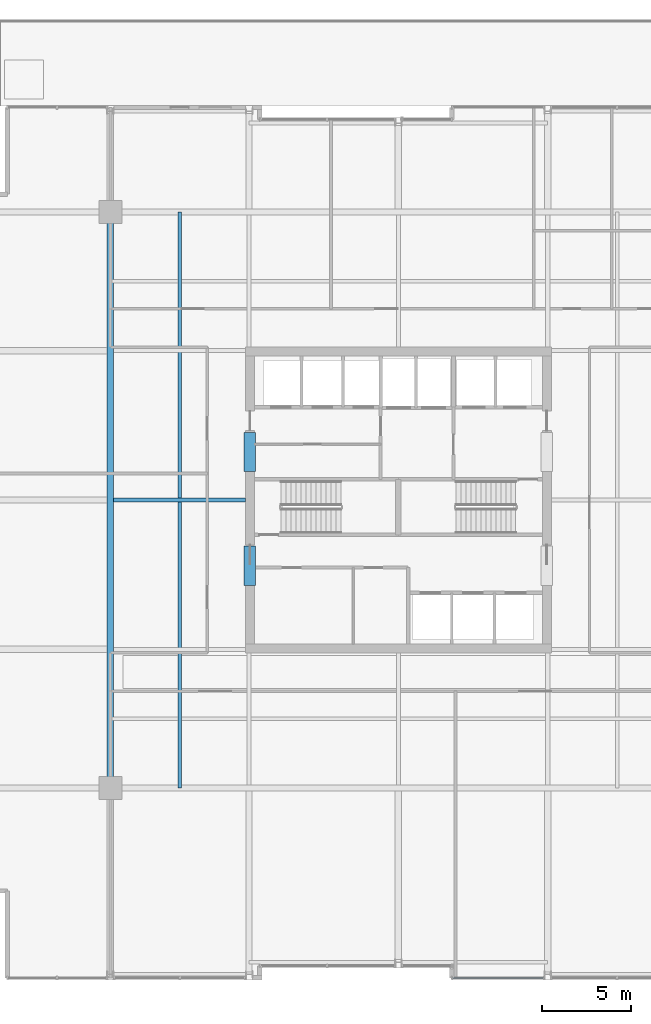
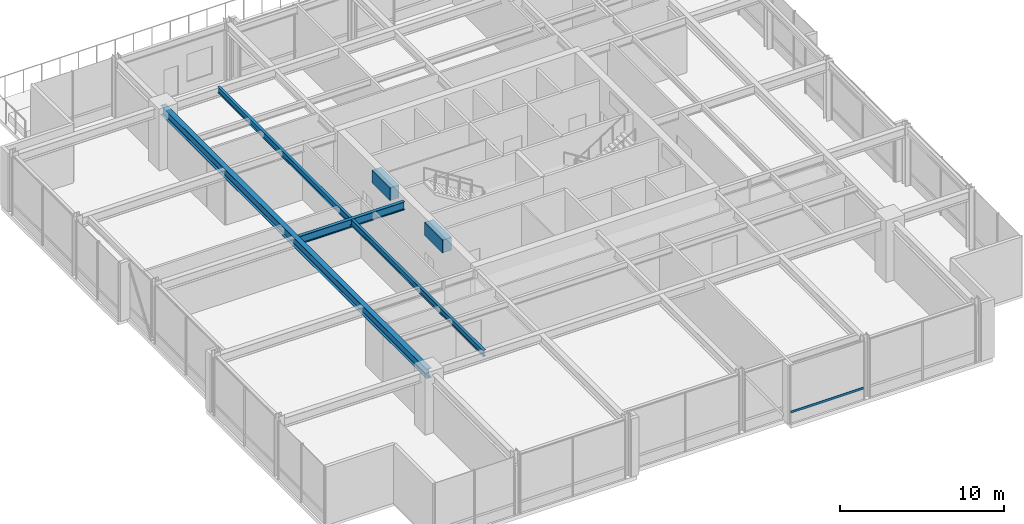
# One storey, part 10 of 32: 5 beams, 1 member, 1 element without a shape of its own.
"""IFC4 building model written with IfcOpenShell, lengths in metres."""

from ifc_helpers import new_model, si_unit, direction, frame, origin, origin_2d, place, context, subcontext, project, spatial, rectangle, hollow_rectangle, i_section, extrude, material, layer, layer_set, material_profile, profile_set, type_object, element, aggregate, save


model = new_model("IFC4")

# Units and contexts
model_context = context("Model", 3, precision=1e-05, world=origin(), true_north=direction((0.0, 1.0)))
body_context = subcontext(model_context, "Body", "Model", "MODEL_VIEW")
ifc_project = project(units=[si_unit("LENGTHUNIT", "METRE"), si_unit("AREAUNIT", "SQUARE_METRE"), si_unit("VOLUMEUNIT", "CUBIC_METRE"), si_unit("PLANEANGLEUNIT", "RADIAN"), si_unit("MASSUNIT", "GRAM", prefix="KILO")], contexts=[model_context])

# Site, building, storey
site_placement = place(None, origin())
site = spatial("IfcSite", under=ifc_project, at=site_placement, CompositionType="ELEMENT")
building_placement = place(site_placement, origin())
building = spatial("IfcBuilding", under=site, at=building_placement, Name="Drelvath Grand Hotel", CompositionType="ELEMENT")
storey_placement = place(building_placement, frame((0.0, 0.0, 145.800048828125)))
storey = spatial("IfcBuildingStorey", under=building, at=storey_placement, Name="L37", CompositionType="ELEMENT", Elevation=145.800048828125)

# Beams
ifc_material_1 = material(Name="Steel ASTM A992 Gr 50", Category="steel")
ifc_material_profile_1 = material_profile(ifc_material_1, i_section(OverallWidth=0.19140625, OverallDepth=0.4599609375, WebThickness=0.010009765625, FlangeThickness=0.01611328125, FilletRadius=0.01611328125, at=origin_2d()), Name="W18X55")
ifc_profile_set_1 = profile_set([ifc_material_profile_1], Name="Steel ASTM A992 Gr 50")
beam_type_1 = type_object("IfcBeamType", Name="Composite Floor Joist W18X55", PredefinedType="JOIST", material=ifc_profile_set_1)
beam_1_placement = place(storey_placement, frame((-12.300048828125, 10.800048828125, 4.10986328125), z_axis=(0.0, 1.0, 0.0), x_axis=(-1.0, 0.0, 0.0)))
element("IfcBeam", 1, at=beam_1_placement, inside=storey, type_object=beam_type_1, Name="L37 Wing Floor Joist J3", PredefinedType="JOIST", context=body_context, shape_type="SweptSolid", body=[
    extrude(i_section(OverallWidth=0.19140625, OverallDepth=0.4599609375, WebThickness=0.010009765625, FlangeThickness=0.01611328125, FilletRadius=0.01611328125, at=origin_2d()), origin(), (0.0, 0.0, 1.0), 32.39990234375),
])
ifc_material_2 = material(Name="Concrete f'c 55 MPa", Category="concrete")
ifc_material_profile_2 = material_profile(ifc_material_2, rectangle(XDim=0.64990234375, YDim=0.949951171875, at=origin_2d()), Name="CB650X950")
ifc_profile_set_2 = profile_set([ifc_material_profile_2], Name="Concrete f'c 55 MPa")
beam_type_2 = type_object("IfcBeamType", Name="Core Coupling Lintel CB650X950", PredefinedType="LINTEL", material=ifc_profile_set_2)
for number, where, z_axis, x_axis, name in (
    (2, (-8.35009765625, 22.199951171875, 3.864990234375), (0.0, 1.0, 0.0), (-1.0, 0.0, 0.0), "L37 Core Coupling Lintel WS"),
    (3, (-8.35009765625, 28.60009765625, 3.864990234375), (0.0, 1.0, 0.0), (-1.0, 0.0, 0.0), "L37 Core Coupling Lintel WN"),
):
    element("IfcBeam", number, at=place(storey_placement, frame(where, z_axis=z_axis, x_axis=x_axis)), inside=storey, type_object=beam_type_2, Name=name, PredefinedType="LINTEL", context=body_context, shape_type="SweptSolid", body=[
        extrude(rectangle(XDim=0.64990234375, YDim=0.949951171875, at=origin_2d()), origin(), (0.0, 0.0, 1.0), 2.199951171875),
    ])

# Curtain wall, member
ifc_material_3 = material(Name="Brushed Pale-Silver Anodised Aluminium Frame", Category="aluminium")
ifc_layer = layer(ifc_material_3, 0.199951171875)
ifc_layer_set = layer_set([ifc_layer], Name="Brushed Pale-Silver Anodised Aluminium Frame")
curtain_wall_type = type_object("IfcCurtainWallType", Name="Stick Curtain Wall CW-04 Brushed Silver Upper-Mid", PredefinedType="NOTDEFINED", material=ifc_layer_set)
curtain_wall_placement = place(storey_placement, origin())
curtain_wall = element("IfcCurtainWall", 4, at=curtain_wall_placement, inside=storey, type_object=curtain_wall_type, Name="L37 CW-04 Curtain Wall CW04-L37-SE1", PredefinedType="NOTDEFINED")
ifc_material_profile_3 = material_profile(ifc_material_3, hollow_rectangle(XDim=0.06494140625, YDim=0.159912109375, WallThickness=0.00390625, at=origin_2d()), Name="HSS160X65X4")
ifc_profile_set_3 = profile_set([ifc_material_profile_3], Name="Brushed Pale-Silver Anodised Aluminium Frame")
member_type = type_object("IfcMemberType", Name="Curtain Wall Horizontal Transom CW-04 HSS160X65X4", PredefinedType="USERDEFINED", material=ifc_profile_set_3)
member_placement = place(storey_placement, frame((8.159912109375, 0.1201171875, 0.849853515625), z_axis=(-1.0, 0.0, 0.0), x_axis=(0.0, -1.0, 0.0)))
member = element("IfcMember", 5, at=member_placement, type_object=member_type, Name="CW04-L37-SE1 Sill Transom", ObjectType="TRANSOM", PredefinedType="USERDEFINED", context=body_context, shape_type="SweptSolid", body=[
    extrude(hollow_rectangle(XDim=0.06494140625, YDim=0.159912109375, WallThickness=0.00390625, at=origin_2d()), origin(), (0.0, 0.0, 1.0), 5.119873046875),
])
aggregate(curtain_wall, [member])

# Beams
ifc_material_profile_4 = material_profile(ifc_material_1, i_section(OverallWidth=0.228271484375, OverallDepth=0.607666015625, WebThickness=0.01123046875, FlangeThickness=0.017333984375, FilletRadius=0.02001953125, at=origin_2d()), Name="W24X76")
ifc_profile_set_4 = profile_set([ifc_material_profile_4], Name="Steel ASTM A992 Gr 50")
beam_type_3 = type_object("IfcBeamType", Name="Primary Floor Girder W24X76", PredefinedType="BEAM", material=ifc_profile_set_4)
beam_2_placement = place(storey_placement, frame((-16.022705078125, 27.0, 4.0361328125), z_axis=(1.0, 0.0, 0.0), x_axis=(0.0, 1.0, 0.0)))
element("IfcBeam", 6, at=beam_2_placement, inside=storey, type_object=beam_type_3, Name="L37 West Core Tie E", PredefinedType="BEAM", context=body_context, shape_type="SweptSolid", body=[
    extrude(i_section(OverallWidth=0.228271484375, OverallDepth=0.607666015625, WebThickness=0.01123046875, FlangeThickness=0.017333984375, FilletRadius=0.02001953125, at=origin_2d()), origin(), (0.0, 0.0, 1.0), 7.422607421875),
])
ifc_material_profile_5 = material_profile(ifc_material_1, i_section(OverallWidth=0.354736328125, OverallDepth=0.695556640625, WebThickness=0.015380859375, FlangeThickness=0.025146484375, FilletRadius=0.02392578125, at=origin_2d()), Name="W27X146")
ifc_profile_set_5 = profile_set([ifc_material_profile_5], Name="Steel ASTM A992 Gr 50")
beam_type_4 = type_object("IfcBeamType", Name="Primary Floor Girder W27X146", PredefinedType="BEAM", material=ifc_profile_set_5)
beam_3_placement = place(storey_placement, frame((-16.199951171875, 10.800048828125, 3.9921875), z_axis=(0.0, 1.0, 0.0), x_axis=(-1.0, 0.0, 0.0)))
element("IfcBeam", 7, at=beam_3_placement, inside=storey, type_object=beam_type_4, Name="L37 Mega Ring Girder West", PredefinedType="BEAM", context=body_context, shape_type="SweptSolid", body=[
    extrude(i_section(OverallWidth=0.354736328125, OverallDepth=0.695556640625, WebThickness=0.015380859375, FlangeThickness=0.025146484375, FilletRadius=0.02392578125, at=origin_2d()), origin(), (0.0, 0.0, 1.0), 32.39990234375),
])

save(model, "model.ifc")
